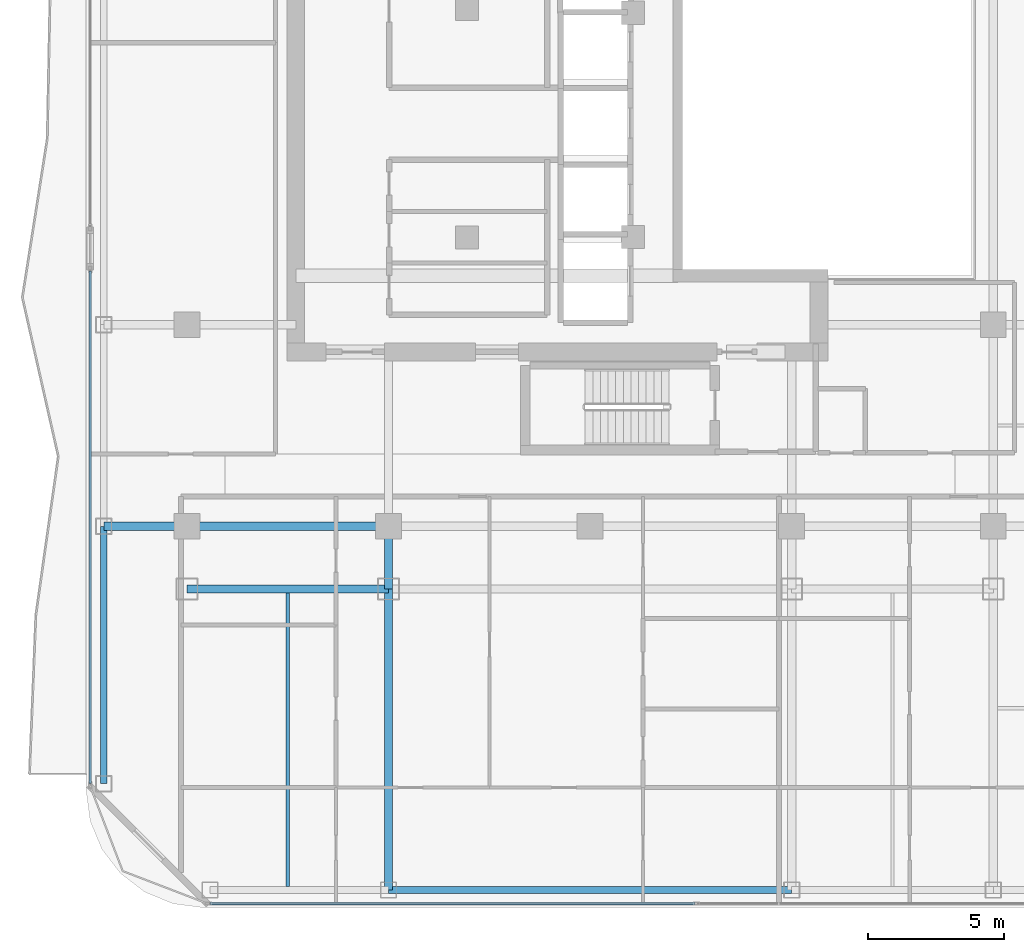
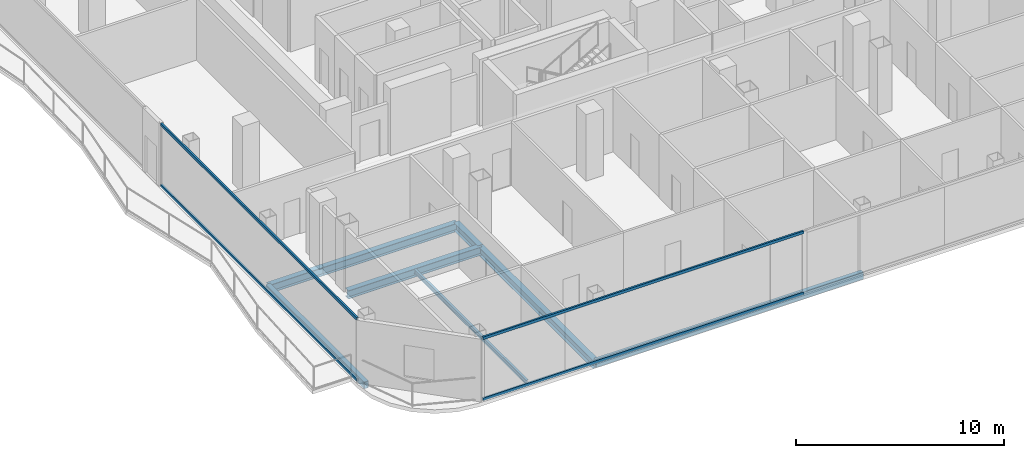
# One storey, part 3 of 27: 8 beams, 4 members, 2 elements without a shape of their own.
"""IFC4 building model written with IfcOpenShell, lengths in metres."""

import ifcopenshell
import ifcopenshell.guid

model = None  # the IFC model being written
_history = None  # IfcOwnerHistory: only IFC2X3 demands one
_inside = {}  # id of a spatial element -> (the spatial element, [elements in it])
_under = {}  # id of a project, library or spatial element -> (it, [spatial elements below it])
_declared = {}  # id of a project -> (the project, [libraries it declares])
_typed = {}  # id of a type object -> (the type object, [elements of that type])
_made_of = {}  # id of a material, layer set ... -> (it, [elements and type objects made of it])


def new_model(schema):
    """Start an empty IFC model of exactly this schema.

    Asked for "IFC4X3", IfcOpenShell would pick the latest addendum, in which some entities
    have other attributes; the version numbers below select the first issue.
    IFC2X3 requires an IfcOwnerHistory on every rooted entity: one is made here for all.
    """
    global model, _history
    if schema == "IFC4X3":
        model = ifcopenshell.file(schema_version=(4, 3, 0, 0))
    else:
        model = ifcopenshell.file(schema=schema)
    _inside.clear()
    _under.clear()
    _declared.clear()
    _typed.clear()
    _made_of.clear()
    _history = None
    if model.schema == "IFC2X3":
        org = make("IfcOrganization", Name="unknown")
        user = make(
            "IfcPersonAndOrganization",
            ThePerson=make("IfcPerson", FamilyName="unknown"),
            TheOrganization=org,
        )
        app = make(
            "IfcApplication",
            ApplicationDeveloper=org,
            Version="unknown",
            ApplicationFullName="unknown",
            ApplicationIdentifier="unknown",
        )
        _history = make(
            "IfcOwnerHistory",
            OwningUser=user,
            OwningApplication=app,
            ChangeAction="ADDED",
            CreationDate=0,
        )
    return model


def make(cls, **values):
    """One entity of the class cls with the attributes given. An attribute that is None is left unset."""
    return model.create_entity(
        cls, **{name: value for name, value in values.items() if value is not None}
    )


def rooted(cls, **values):
    """An entity with a GlobalId (a new one), such as an element, a storey or a relation."""
    return make(cls, GlobalId=ifcopenshell.guid.new(), OwnerHistory=_history, **values)


def si_unit(unit_type, name, prefix=None):
    """IfcSIUnit, for example si_unit("LENGTHUNIT", "METRE", prefix="MILLI")."""
    return make("IfcSIUnit", UnitType=unit_type, Prefix=prefix, Name=name)


def assignment(units):
    """IfcUnitAssignment: the units of a project."""
    return None if units is None else make("IfcUnitAssignment", Units=units)


def point(xyz):
    """IfcCartesianPoint."""
    return None if xyz is None else make("IfcCartesianPoint", Coordinates=xyz)


def direction(xyz):
    """IfcDirection."""
    return None if xyz is None else make("IfcDirection", DirectionRatios=xyz)


def frame(location, z_axis=None, x_axis=None):
    """IfcAxis2Placement3D, a coordinate frame: its origin and axes. An axis left out is left unset."""
    return make(
        "IfcAxis2Placement3D",
        Location=point(location),
        Axis=direction(z_axis),
        RefDirection=direction(x_axis),
    )


def frame_2d(location, x_axis=None):
    """IfcAxis2Placement2D, a coordinate frame in the plane: its origin and x axis."""
    return make(
        "IfcAxis2Placement2D", Location=point(location), RefDirection=direction(x_axis)
    )


def origin():
    """The frame at (0, 0, 0) with its axes left unset."""
    return frame((0.0, 0.0, 0.0))


def origin_2d():
    """The frame at (0, 0) in the plane with its x axis left unset."""
    return frame_2d((0.0, 0.0))


def place(relative_to, where):
    """IfcLocalPlacement: puts the frame where relative to a parent placement (None: the world)."""
    return make(
        "IfcLocalPlacement", PlacementRelTo=relative_to, RelativePlacement=where
    )


def context(
    kind, dimensions, precision=None, world=None, true_north=None, identifier=None
):
    """IfcGeometricRepresentationContext, for example the 3D "Model" context."""
    return make(
        "IfcGeometricRepresentationContext",
        ContextIdentifier=identifier,
        ContextType=kind,
        CoordinateSpaceDimension=dimensions,
        Precision=precision,
        WorldCoordinateSystem=world,
        TrueNorth=true_north,
    )


def subcontext(parent, identifier, kind, view, scale=None):
    """IfcGeometricRepresentationSubContext, for example "Body" below "Model"."""
    return make(
        "IfcGeometricRepresentationSubContext",
        ContextIdentifier=identifier,
        ContextType=kind,
        ParentContext=parent,
        TargetScale=scale,
        TargetView=view,
    )


def project(units=None, contexts=None):
    """IfcProject with its units and contexts."""
    return rooted(
        "IfcProject",
        Name="project",
        RepresentationContexts=contexts,
        UnitsInContext=assignment(units),
    )


def spatial(cls, under=None, at=None, **own):
    """A site, building, storey or space (cls), placed at a placement, below another one or the project."""
    s = rooted(cls, ObjectPlacement=at, **own)
    if under is not None:
        _under.setdefault(under.id(), (under, []))[1].append(s)
    return s


def profile(cls, at=None, kind="AREA", **sizes):
    """A parametric profile (cls). Its sizes go by their IFC names, for example OverallWidth=200.0."""
    return make(cls, ProfileType=kind, Position=at, **sizes)


def hollow_rectangle(**sizes):
    """IfcRectangleHollowProfileDef."""
    return profile("IfcRectangleHollowProfileDef", **sizes)


def i_section(**sizes):
    """IfcIShapeProfileDef."""
    return profile("IfcIShapeProfileDef", **sizes)


def extrude(swept, where, along, depth):
    """IfcExtrudedAreaSolid: the profile swept, set in the frame where, extruded along a direction by depth."""
    return make(
        "IfcExtrudedAreaSolid",
        SweptArea=swept,
        Position=where,
        ExtrudedDirection=direction(along),
        Depth=depth,
    )


def shape(context_of_items, identifier, shape_type, items):
    """IfcShapeRepresentation: the items that make up one representation, for example the "Body"."""
    return make(
        "IfcShapeRepresentation",
        ContextOfItems=context_of_items,
        RepresentationIdentifier=identifier,
        RepresentationType=shape_type,
        Items=items,
    )


def material(Name=None, Category=None):
    """IfcMaterial."""
    return make("IfcMaterial", Name=Name, Category=Category)


def layer(
    of_material, thickness, ventilated=None, Name=None, Category=None, Priority=None
):
    """IfcMaterialLayer: one layer of a wall or slab, of a material (None: an air gap)."""
    return make(
        "IfcMaterialLayer",
        Material=of_material,
        LayerThickness=thickness,
        IsVentilated=ventilated,
        Name=Name,
        Category=Category,
        Priority=Priority,
    )


def layer_set(layers, Name=None):
    """IfcMaterialLayerSet."""
    return make("IfcMaterialLayerSet", MaterialLayers=layers, LayerSetName=Name)


def material_profile(
    of_material, cross_section, Name=None, Category=None, Priority=None
):
    """IfcMaterialProfile: a cross section and its material."""
    return make(
        "IfcMaterialProfile",
        Name=Name,
        Material=of_material,
        Profile=cross_section,
        Priority=Priority,
        Category=Category,
    )


def profile_set(profiles, Name=None, composite=None):
    """IfcMaterialProfileSet."""
    return make(
        "IfcMaterialProfileSet",
        Name=Name,
        MaterialProfiles=profiles,
        CompositeProfile=composite,
    )


def made_of(thing, what):
    """Note that an element or type object is made of a material, layer set ...; save() writes the relation."""
    if what is not None:
        _made_of.setdefault(what.id(), (what, []))[1].append(thing)
    return thing


def type_object(cls, material=None, **own):
    """A type object (cls), such as IfcWallType, which elements share."""
    return made_of(rooted(cls, **own), material)


def element(
    cls,
    number,
    at=None,
    inside=None,
    cuts=None,
    type_object=None,
    material=None,
    context=None,
    identifier="Body",
    shape_type=None,
    held_by="IfcProductDefinitionShape",
    body=None,
    shapes=None,
    **own,
):
    """One element of the class cls, such as IfcWall. Its Tag is "e" and its number.

    at: its placement. inside: the storey or other place that contains it. cuts: it is an
    opening in that element (IfcRelVoidsElement). A single representation is given by context,
    identifier, shape_type and body (its items); several are given by shapes. held_by: the class
    of the entity that holds the representations. save() writes the other relations.
    """
    e = rooted(cls, Tag="e%d" % number, ObjectPlacement=at, **own)
    if body is not None:
        shapes = [shape(context, identifier, shape_type, body)]
    if shapes is not None:
        e.Representation = make(held_by, Representations=shapes)
    if inside is not None:
        _inside.setdefault(inside.id(), (inside, []))[1].append(e)
    if cuts is not None:
        rooted(
            "IfcRelVoidsElement", RelatingBuildingElement=cuts, RelatedOpeningElement=e
        )
    if type_object is not None:
        _typed.setdefault(type_object.id(), (type_object, []))[1].append(e)
    return made_of(e, material)


def aggregate(whole, parts):
    """IfcRelAggregates: a whole, such as a stair, and the parts it consists of."""
    return rooted("IfcRelAggregates", RelatingObject=whole, RelatedObjects=parts)


def save(model, path):
    """Write the relations noted so far, then the file.

    IfcRelAggregates (storeys below a building ...), IfcRelContainedInSpatialStructure (elements
    in a storey), IfcRelDefinesByType, IfcRelAssociatesMaterial and IfcRelDeclares: one each for
    every whole, place, type object, material and project.
    """
    for whole, parts in _under.values():
        aggregate(whole, parts)
    for where, things in _inside.values():
        rooted(
            "IfcRelContainedInSpatialStructure",
            RelatedElements=things,
            RelatingStructure=where,
        )
    for kind, things in _typed.values():
        rooted("IfcRelDefinesByType", RelatedObjects=things, RelatingType=kind)
    for what, things in _made_of.values():
        rooted("IfcRelAssociatesMaterial", RelatedObjects=things, RelatingMaterial=what)
    for by, libraries in _declared.values():
        rooted("IfcRelDeclares", RelatingContext=by, RelatedDefinitions=libraries)
    model.write(path)


model = new_model("IFC4")

# Units and contexts
model_context = context("Model", 3, precision=1e-05, world=origin(), true_north=direction((0.0, 1.0)))
body_context = subcontext(model_context, "Body", "Model", "MODEL_VIEW")
ifc_project = project(units=[si_unit("LENGTHUNIT", "METRE"), si_unit("AREAUNIT", "SQUARE_METRE"), si_unit("VOLUMEUNIT", "CUBIC_METRE"), si_unit("PLANEANGLEUNIT", "RADIAN"), si_unit("MASSUNIT", "GRAM", prefix="KILO")], contexts=[model_context])

# Site, building, storey
site_placement = place(None, origin())
site = spatial("IfcSite", under=ifc_project, at=site_placement, CompositionType="ELEMENT")
building_placement = place(site_placement, origin())
building = spatial("IfcBuilding", under=site, at=building_placement, Name="Khorvyn Point Tower", CompositionType="ELEMENT")
storey_placement = place(building_placement, frame((0.0, 0.0, 243.0)))
storey = spatial("IfcBuildingStorey", under=building, at=storey_placement, Name="L59", CompositionType="ELEMENT", Elevation=243.0)

# Curtain wall, members
ifc_material_1 = material(Name="Anodised aluminium 6063-T6 and laminated Low-E glass", Category="aluminium")
ifc_layer = layer(ifc_material_1, 0.18994140625)
ifc_layer_set = layer_set([ifc_layer], Name="Stick-Built Acoustic Curtain Wall CW-SYS-03")
curtain_wall_type = type_object("IfcCurtainWallType", Name="Stick-Built Acoustic Curtain Wall CW-SYS-03", PredefinedType="NOTDEFINED", material=ifc_layer_set)
curtain_wall_1_placement = place(storey_placement, origin())
curtain_wall_1 = element("IfcCurtainWall", 1, at=curtain_wall_1_placement, inside=storey, type_object=curtain_wall_type, Name="Curtain Wall", PredefinedType="NOTDEFINED")
ifc_material_2 = material(Name="Anodised aluminium 6063-T6", Category="aluminium")
ifc_material_profile_1 = material_profile(ifc_material_2, hollow_rectangle(XDim=0.10009765625, YDim=0.159912109375, WallThickness=0.00439453125, at=origin_2d()))
ifc_profile_set_1 = profile_set([ifc_material_profile_1], Name="Anodised aluminium 6063-T6 ALU-TRN-100x160")
member_type = type_object("IfcMemberType", Name="Anodised Aluminium 6063-T6 Transom ALU-TRN-100x160", PredefinedType="USERDEFINED", material=ifc_profile_set_1)
member_1_placement = place(storey_placement, frame((3.85009765625, -28.64990234375, 0.050048828125), z_axis=(-1.0, 0.0, 0.0), x_axis=(0.0, -1.0, 0.0)))
member_1 = element("IfcMember", 2, at=member_1_placement, type_object=member_type, Name="Transom", ObjectType="TRANSOM", PredefinedType="USERDEFINED", context=body_context, shape_type="SweptSolid", body=[
    extrude(hollow_rectangle(XDim=0.10009765625, YDim=0.159912109375, WallThickness=0.00439453125, at=origin_2d()), origin(), (0.0, 0.0, 1.0), 17.800048828125),
])
member_2_placement = place(storey_placement, frame((3.85009765625, -28.64990234375, 3.6298828125), z_axis=(-1.0, 0.0, 0.0), x_axis=(0.0, -1.0, 0.0)))
member_2 = element("IfcMember", 3, at=member_2_placement, type_object=member_type, Name="Transom", ObjectType="TRANSOM", PredefinedType="USERDEFINED", context=body_context, shape_type="SweptSolid", body=[
    extrude(hollow_rectangle(XDim=0.10009765625, YDim=0.159912109375, WallThickness=0.00439453125, at=origin_2d()), origin(), (0.0, 0.0, 1.0), 17.800048828125),
])
aggregate(curtain_wall_1, [member_1, member_2])

curtain_wall_2_placement = place(storey_placement, origin())
curtain_wall_2 = element("IfcCurtainWall", 4, at=curtain_wall_2_placement, inside=storey, type_object=curtain_wall_type, Name="Curtain Wall", PredefinedType="NOTDEFINED")
member_3_placement = place(storey_placement, frame((-18.35009765625, -24.25, 0.050048828125), z_axis=(0.0, 1.0, 0.0), x_axis=(-1.0, 0.0, 0.0)))
member_3 = element("IfcMember", 5, at=member_3_placement, type_object=member_type, Name="Transom", ObjectType="TRANSOM", PredefinedType="USERDEFINED", context=body_context, shape_type="SweptSolid", body=[
    extrude(hollow_rectangle(XDim=0.10009765625, YDim=0.159912109375, WallThickness=0.00439453125, at=origin_2d()), origin(), (0.0, 0.0, 1.0), 18.824951171875),
])
member_4_placement = place(storey_placement, frame((-18.35009765625, -24.25, 3.6298828125), z_axis=(0.0, 1.0, 0.0), x_axis=(-1.0, 0.0, 0.0)))
member_4 = element("IfcMember", 6, at=member_4_placement, type_object=member_type, Name="Transom", ObjectType="TRANSOM", PredefinedType="USERDEFINED", context=body_context, shape_type="SweptSolid", body=[
    extrude(hollow_rectangle(XDim=0.10009765625, YDim=0.159912109375, WallThickness=0.00439453125, at=origin_2d()), origin(), (0.0, 0.0, 1.0), 18.824951171875),
])
aggregate(curtain_wall_2, [member_3, member_4])

# Beams
ifc_material_3 = material(Name="Steel S355", Category="steel")
ifc_material_profile_2 = material_profile(ifc_material_3, i_section(OverallWidth=0.125, OverallDepth=0.25, WebThickness=0.006103515625, FlangeThickness=0.009033203125, at=origin_2d()))
ifc_profile_set_2 = profile_set([ifc_material_profile_2], Name="Steel S355 H250x125x6x9")
beam_type_1 = type_object("IfcBeamType", Name="Steel S355 Joist H250x125x6x9", PredefinedType="JOIST", material=ifc_profile_set_2)
beam_1_placement = place(storey_placement, frame((-11.10009765625, -28.02490234375, -0.344970703125), z_axis=(0.0, 1.0, 0.0), x_axis=(-1.0, 0.0, 0.0)))
element("IfcBeam", 7, at=beam_1_placement, inside=storey, type_object=beam_type_1, Name="Beam", PredefinedType="JOIST", context=body_context, shape_type="SweptSolid", body=[
    extrude(i_section(OverallWidth=0.125, OverallDepth=0.25, WebThickness=0.006103515625, FlangeThickness=0.009033203125, at=origin_2d()), origin(), (0.0, 0.0, 1.0), 10.77490234375),
])
ifc_material_profile_3 = material_profile(ifc_material_3, i_section(OverallWidth=0.300048828125, OverallDepth=0.488037109375, WebThickness=0.010986328125, FlangeThickness=0.01806640625, at=origin_2d()))
ifc_profile_set_3 = profile_set([ifc_material_profile_3], Name="Steel S355 H488x300x11x18")
beam_type_2 = type_object("IfcBeamType", Name="Steel S355 Spandrel H488x300x11x18", PredefinedType="SPANDREL", material=ifc_profile_set_3)
beam_2_placement = place(storey_placement, frame((-17.85009765625, -14.800048828125, -0.464111328125), z_axis=(1.0, 0.0, 0.0), x_axis=(0.0, 1.0, 0.0)))
element("IfcBeam", 8, at=beam_2_placement, inside=storey, type_object=beam_type_2, Name="Beam", PredefinedType="SPANDREL", context=body_context, shape_type="SweptSolid", body=[
    extrude(i_section(OverallWidth=0.300048828125, OverallDepth=0.488037109375, WebThickness=0.010986328125, FlangeThickness=0.01806640625, at=origin_2d()), origin(), (0.0, 0.0, 1.0), 3.050048828125),
])
for number, where, z_axis, x_axis, name in (
    (9, (-14.800048828125, -14.800048828125, -0.464111328125), (1.0, 0.0, 0.0), (0.0, 1.0, 0.0), "Beam"),
    (10, (-14.800048828125, -17.10009765625, -0.464111328125), (1.0, 0.0, 0.0), (0.0, 1.0, 0.0), "Beam"),
):
    element("IfcBeam", number, at=place(storey_placement, frame(where, z_axis=z_axis, x_axis=x_axis)), inside=storey, type_object=beam_type_2, Name=name, PredefinedType="SPANDREL", context=body_context, shape_type="SweptSolid", body=[
        extrude(i_section(OverallWidth=0.300048828125, OverallDepth=0.488037109375, WebThickness=0.010986328125, FlangeThickness=0.01806640625, at=origin_2d()), origin(), (0.0, 0.0, 1.0), 7.400146484375),
    ])
beam_3_placement = place(storey_placement, frame((-7.39990234375, -28.14990234375, -0.464111328125), z_axis=(0.0, 1.0, 0.0), x_axis=(-1.0, 0.0, 0.0)))
element("IfcBeam", 11, at=beam_3_placement, inside=storey, type_object=beam_type_2, Name="Beam", PredefinedType="SPANDREL", context=body_context, shape_type="SweptSolid", body=[
    extrude(i_section(OverallWidth=0.300048828125, OverallDepth=0.488037109375, WebThickness=0.010986328125, FlangeThickness=0.01806640625, at=origin_2d()), origin(), (0.0, 0.0, 1.0), 11.0498046875),
])
beam_4_placement = place(storey_placement, frame((-7.39990234375, -17.10009765625, -0.464111328125), z_axis=(0.0, 1.0, 0.0), x_axis=(-1.0, 0.0, 0.0)))
element("IfcBeam", 12, at=beam_4_placement, inside=storey, type_object=beam_type_2, Name="Beam", PredefinedType="SPANDREL", context=body_context, shape_type="SweptSolid", body=[
    extrude(i_section(OverallWidth=0.300048828125, OverallDepth=0.488037109375, WebThickness=0.010986328125, FlangeThickness=0.01806640625, at=origin_2d()), origin(), (0.0, 0.0, 1.0), 2.300048828125),
])
ifc_material_profile_4 = material_profile(ifc_material_3, hollow_rectangle(XDim=0.25, YDim=0.39990234375, WallThickness=0.01611328125, at=origin_2d()))
ifc_profile_set_4 = profile_set([ifc_material_profile_4], Name="Steel S355 RHS400x250x16")
beam_type_3 = type_object("IfcBeamType", Name="Steel S355 Spandrel RHS400x250x16", PredefinedType="SPANDREL", material=ifc_profile_set_4)
beam_5_placement = place(storey_placement, frame((-7.39990234375, -28.14990234375, -0.419921875), z_axis=(1.0, 0.0, 0.0), x_axis=(0.0, 1.0, 0.0)))
element("IfcBeam", 13, at=beam_5_placement, inside=storey, type_object=beam_type_3, Name="Beam", PredefinedType="SPANDREL", context=body_context, shape_type="SweptSolid", body=[
    extrude(hollow_rectangle(XDim=0.25, YDim=0.39990234375, WallThickness=0.01611328125, at=origin_2d()), origin(), (0.0, 0.0, 1.0), 14.7998046875),
])
beam_6_placement = place(storey_placement, frame((-17.85009765625, -24.25, -0.419921875), z_axis=(0.0, 1.0, 0.0), x_axis=(-1.0, 0.0, 0.0)))
element("IfcBeam", 14, at=beam_6_placement, inside=storey, type_object=beam_type_3, Name="Beam", PredefinedType="SPANDREL", context=body_context, shape_type="SweptSolid", body=[
    extrude(hollow_rectangle(XDim=0.25, YDim=0.39990234375, WallThickness=0.01611328125, at=origin_2d()), origin(), (0.0, 0.0, 1.0), 9.449951171875),
])

save(model, "model.ifc")
